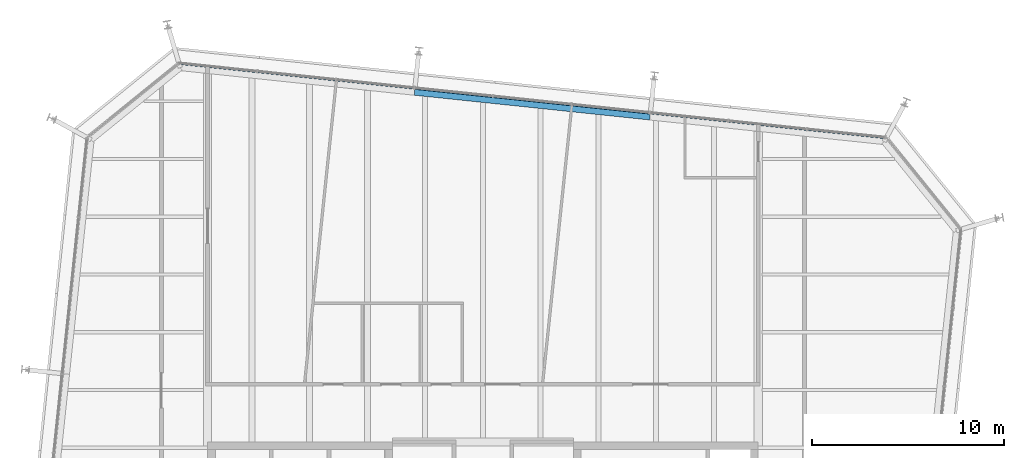
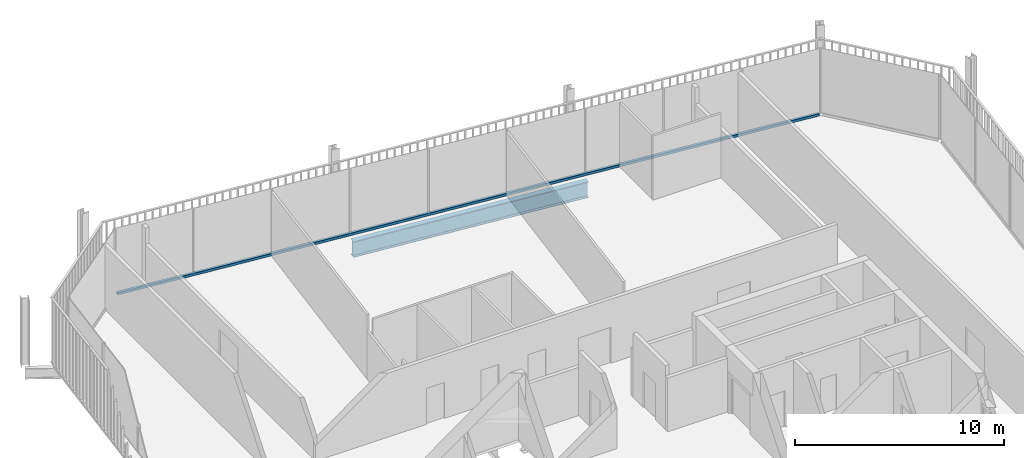
# One storey, part 13 of 20: 1 beam, 1 member, 1 element without a shape of its own.
"""IFC4 building model written with IfcOpenShell, lengths in metres."""

from ifc_helpers import new_model, si_unit, direction, frame, origin, origin_2d, place, context, subcontext, project, spatial, rectangle, i_section, extrude, material, layer, layer_set, material_profile, profile_set, type_object, element, aggregate, save


model = new_model("IFC4")

# Units and contexts
model_context = context("Model", 3, precision=1e-05, world=origin(), true_north=direction((0.0, 1.0)))
body_context = subcontext(model_context, "Body", "Model", "MODEL_VIEW")
ifc_project = project(units=[si_unit("LENGTHUNIT", "METRE"), si_unit("AREAUNIT", "SQUARE_METRE"), si_unit("VOLUMEUNIT", "CUBIC_METRE"), si_unit("PLANEANGLEUNIT", "RADIAN"), si_unit("MASSUNIT", "GRAM", prefix="KILO")], contexts=[model_context])

# Site, building, storey
site_placement = place(None, origin())
site = spatial("IfcSite", under=ifc_project, at=site_placement, CompositionType="ELEMENT")
building_placement = place(site_placement, origin())
building = spatial("IfcBuilding", under=site, at=building_placement, Name="Millrace Tower", CompositionType="ELEMENT")
storey_placement = place(building_placement, frame((0.0, 0.0, 303.300048828125)))
storey = spatial("IfcBuildingStorey", under=building, at=storey_placement, Name="L70", CompositionType="ELEMENT", Elevation=303.300048828125)

# Curtain wall, member
ifc_material_1 = material(Name="Aluminium and glass", Category="aluminium")
ifc_layer = layer(ifc_material_1, 0.14990234375)
ifc_layer_set = layer_set([ifc_layer], Name="Aluminium and glass")
curtain_wall_type = type_object("IfcCurtainWallType", Name="CW-1 office vision curtain wall", PredefinedType="NOTDEFINED", material=ifc_layer_set)
curtain_wall_placement = place(storey_placement, origin())
curtain_wall = element("IfcCurtainWall", 1, at=curtain_wall_placement, inside=storey, type_object=curtain_wall_type, Name="Curtain wall E-F06 L70", PredefinedType="NOTDEFINED")
ifc_material_2 = material(Name="Aluminium", Category="aluminium")
ifc_material_profile_1 = material_profile(ifc_material_2, rectangle(XDim=0.14990234375, YDim=0.139892578125, at=origin_2d()))
ifc_profile_set_1 = profile_set([ifc_material_profile_1], Name="Aluminium")
member_type = type_object("IfcMemberType", Name="CW-1 office vision curtain wall transom", PredefinedType="USERDEFINED", material=ifc_profile_set_1)
member_placement = place(storey_placement, frame((20.83544921875, 25.1318359375, 0.070068359375), z_axis=(-0.994521952886, 0.104527916025, 0.0), x_axis=(-0.104527916025, -0.994521952886, 0.0)))
member = element("IfcMember", 2, at=member_placement, type_object=member_type, Name="CW1 transom E-F06.1", ObjectType="TRANSOM", PredefinedType="USERDEFINED", context=body_context, shape_type="SweptSolid", body=[
    extrude(rectangle(XDim=0.14990234375, YDim=0.139892578125, at=origin_2d()), origin(), (0.0, 0.0, 1.0), 36.699951171875),
])
aggregate(curtain_wall, [member])

# Beam
ifc_material_3 = material(Name="Steel ASTM A992 Grade 50", Category="steel")
ifc_material_profile_2 = material_profile(ifc_material_3, i_section(OverallWidth=0.307373046875, OverallDepth=0.927001953125, WebThickness=0.01953125, FlangeThickness=0.031982421875, FilletRadius=0.01904296875, at=origin_2d()))
ifc_profile_set_2 = profile_set([ifc_material_profile_2], Name="Steel ASTM A992 Grade 50")
beam_type = type_object("IfcBeamType", Name="Ring beam medium span W36x194", PredefinedType="SPANDREL", material=ifc_profile_set_2)
beam_placement = place(storey_placement, frame((-3.554443359375, 27.46533203125, -0.62353515625), z_axis=(0.994522406476, -0.104523600289, 0.0), x_axis=(0.104523600289, 0.994522406476, 0.0)))
element("IfcBeam", 3, at=beam_placement, inside=storey, type_object=beam_type, Name="RNG-E-L70-S1-06", PredefinedType="SPANDREL", context=body_context, shape_type="SweptSolid", body=[
    extrude(i_section(OverallWidth=0.307373046875, OverallDepth=0.927001953125, WebThickness=0.01953125, FlangeThickness=0.031982421875, FilletRadius=0.01904296875, at=origin_2d()), origin(), (0.0, 0.0, 1.0), 12.300048828125),
])

save(model, "model.ifc")
